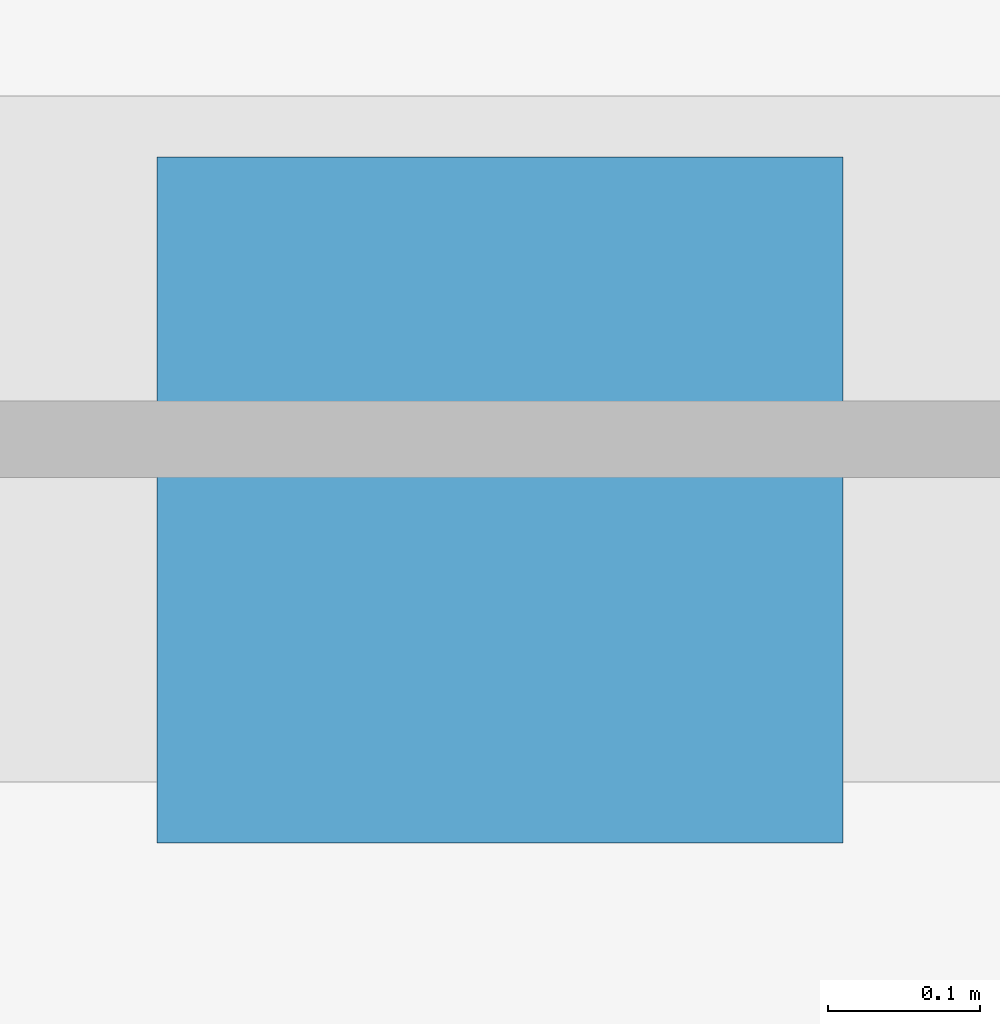
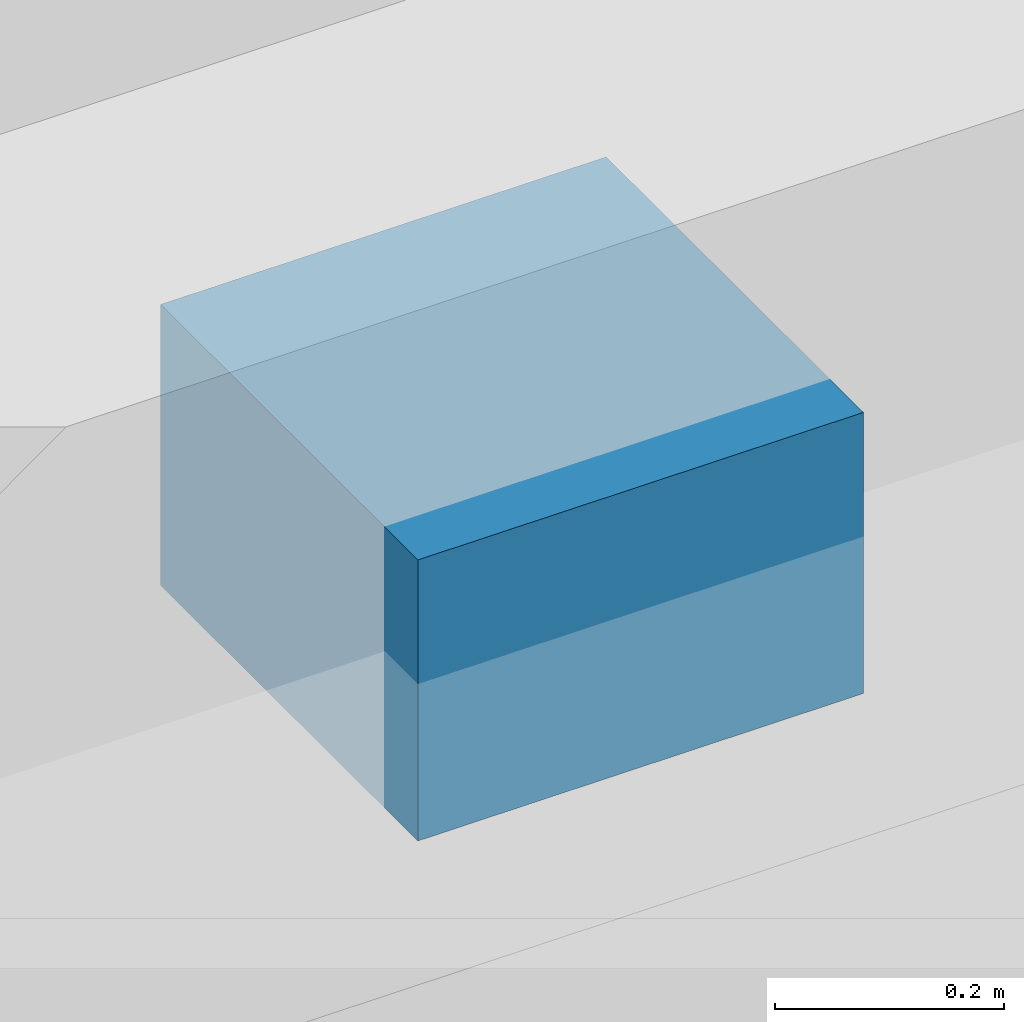
# One storey, part 49 of 63: 1 discrete accessory.
"""IFC4 building model written with IfcOpenShell, lengths in metres."""

from ifc_helpers import new_model, si_unit, direction, frame, origin, origin_2d, place, context, subcontext, project, spatial, rectangle, extrude, material, layer, layer_set, type_object, element, save


model = new_model("IFC4")

# Units and contexts
model_context = context("Model", 3, precision=1e-05, world=origin(), true_north=direction((0.0, 1.0)))
body_context = subcontext(model_context, "Body", "Model", "MODEL_VIEW")
ifc_project = project(units=[si_unit("LENGTHUNIT", "METRE"), si_unit("AREAUNIT", "SQUARE_METRE"), si_unit("VOLUMEUNIT", "CUBIC_METRE"), si_unit("PLANEANGLEUNIT", "RADIAN"), si_unit("MASSUNIT", "GRAM", prefix="KILO")], contexts=[model_context])

# Site, building, storey
site_placement = place(None, origin())
site = spatial("IfcSite", under=ifc_project, at=site_placement, CompositionType="ELEMENT")
building_placement = place(site_placement, origin())
building = spatial("IfcBuilding", under=site, at=building_placement, Name="Serraforn Aerial Cableway Station", CompositionType="ELEMENT")
storey_placement = place(building_placement, origin())
storey = spatial("IfcBuildingStorey", under=building, at=storey_placement, Name="L00", CompositionType="ELEMENT", Elevation=0.0)

# Discrete accessory
ifc_material = material(Name="Steel S355J2", Category="steel")
ifc_layer = layer(ifc_material, 0.280029296875)
ifc_layer_set = layer_set([ifc_layer], Name="Steel S355J2")
discrete_accessory_type = type_object("IfcDiscreteAccessoryType", Name="BRK-STEEL", PredefinedType="BRACKET", material=ifc_layer_set)
discrete_accessory_placement = place(storey_placement, frame((164.0, 7.9599609375, 2.60009765625), z_axis=(0.0, 0.0, 1.0), x_axis=(1.0, 0.0, 0.0)))
element("IfcDiscreteAccessory", 1, at=discrete_accessory_placement, inside=storey, type_object=discrete_accessory_type, Name="Canopy Support Bracket 06", PredefinedType="BRACKET", context=body_context, shape_type="SweptSolid", body=[
    extrude(rectangle(XDim=0.449951171875, YDim=0.449951171875, at=origin_2d()), origin(), (0.0, 0.0, 1.0), 0.300048828125),
])

save(model, "model.ifc")
